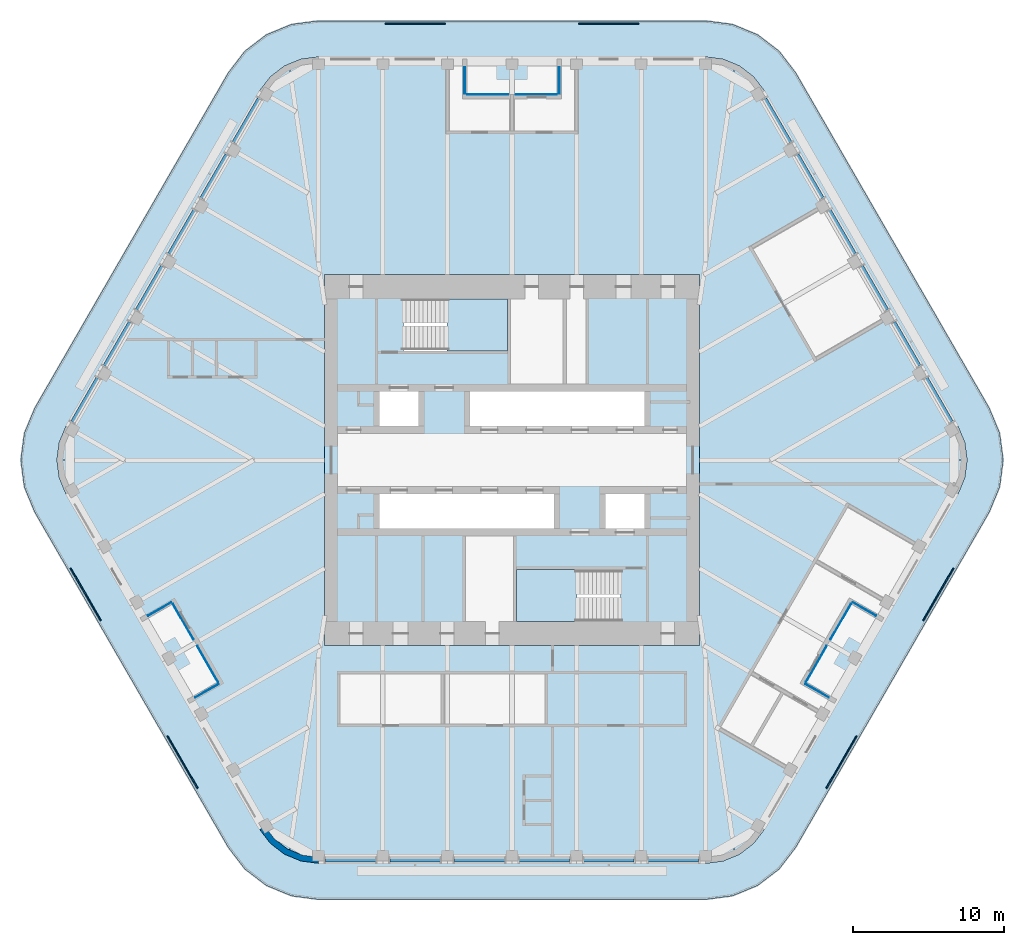
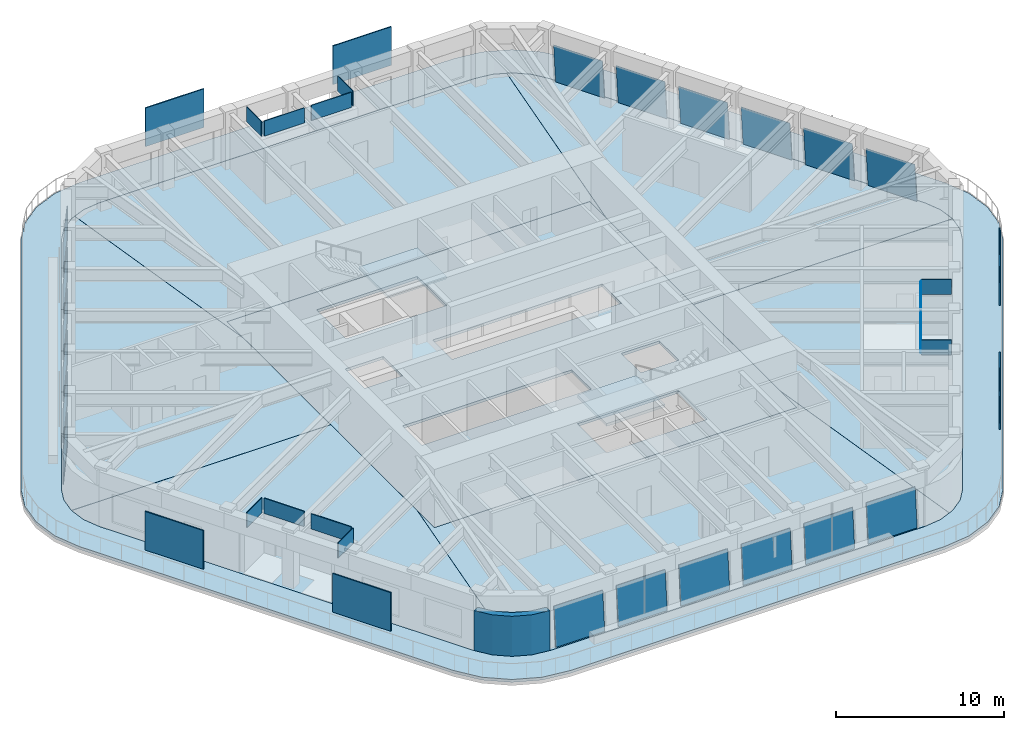
# One storey, part 12 of 20: 36 plates, 10 slabs, 1 wall, 20 elements without a shape of their own.
"""IFC4 building model written with IfcOpenShell, lengths in metres."""

from ifc_helpers import new_model, si_unit, direction, frame, origin, origin_2d, place, context, subcontext, project, spatial, polyline, rectangle, outline, extrude, material, layer, layer_set, type_object, element, aggregate, save


model = new_model("IFC4")

# Units and contexts
model_context = context("Model", 3, precision=1e-05, world=origin(), true_north=direction((0.0, 1.0)))
body_context = subcontext(model_context, "Body", "Model", "MODEL_VIEW")
ifc_project = project(units=[si_unit("LENGTHUNIT", "METRE"), si_unit("AREAUNIT", "SQUARE_METRE"), si_unit("VOLUMEUNIT", "CUBIC_METRE"), si_unit("PLANEANGLEUNIT", "RADIAN"), si_unit("MASSUNIT", "GRAM", prefix="KILO")], contexts=[model_context])

# Site, building, storey
site_placement = place(None, origin())
site = spatial("IfcSite", under=ifc_project, at=site_placement, CompositionType="ELEMENT")
building_placement = place(site_placement, origin())
building = spatial("IfcBuilding", under=site, at=building_placement, Name="Tarfa Lantern Tower", CompositionType="ELEMENT")
storey_placement = place(building_placement, frame((0.0, 0.0, 378.699951171875)))
storey = spatial("IfcBuildingStorey", under=building, at=storey_placement, Name="L86", CompositionType="ELEMENT", Elevation=378.699951171875)

# Slab
ifc_material_1 = material(Name="Concrete C40/50", Category="concrete")
ifc_layer_1 = layer(ifc_material_1, 0.199951171875)
ifc_layer_set_1 = layer_set([ifc_layer_1], Name="BS2 BALCONY SLAB 200")
slab_type_1 = type_object("IfcSlabType", Name="BS2 BALCONY SLAB 200", PredefinedType="FLOOR", material=ifc_layer_set_1)
slab_1_placement = place(storey_placement, frame((0.0, 0.0, -0.199951171875)))
element("IfcSlab", 1, at=slab_1_placement, inside=storey, type_object=slab_type_1, Name="Balcony L86", PredefinedType="FLOOR", context=body_context, shape_type="SweptSolid", body=[
    extrude(outline(polyline([(31.667724609375, 3.449951171875), (18.821533203125, 25.699951171875), (17.72509765625, 27.129150390625), (16.296142578125, 28.2255859375), (14.6318359375, 28.914794921875), (12.845947265625, 29.14990234375), (-12.845947265625, 29.14990234375), (-14.6318359375, 28.914794921875), (-16.296142578125, 28.2255859375), (-17.72509765625, 27.129150390625), (-18.821533203125, 25.699951171875), (-31.667724609375, 3.449951171875), (-32.35693359375, 1.785888671875), (-32.592041015625, 0.0), (-32.35693359375, -1.785888671875), (-31.667724609375, -3.449951171875), (-18.821533203125, -25.699951171875), (-17.72509765625, -27.129150390625), (-16.296142578125, -28.2255859375), (-14.6318359375, -28.914794921875), (-12.845947265625, -29.14990234375), (12.845947265625, -29.14990234375), (14.6318359375, -28.914794921875), (16.296142578125, -28.2255859375), (17.72509765625, -27.129150390625), (18.821533203125, -25.699951171875), (31.667724609375, -3.449951171875), (32.35693359375, -1.785888671875), (32.592041015625, 0.0), (32.35693359375, 1.785888671875), (31.667724609375, 3.449951171875)]), holes=[polyline([(29.589111328125, 2.25), (16.7431640625, 24.5), (16.028076171875, 25.431884765625), (15.095947265625, 26.147216796875), (14.0107421875, 26.5966796875), (12.845947265625, 26.75), (-12.845947265625, 26.75), (-14.0107421875, 26.5966796875), (-15.095947265625, 26.147216796875), (-16.028076171875, 25.431884765625), (-16.7431640625, 24.5), (-29.589111328125, 2.25), (-30.038818359375, 1.164794921875), (-30.192138671875, 0.0), (-30.038818359375, -1.164794921875), (-29.589111328125, -2.25), (-16.7431640625, -24.5), (-16.028076171875, -25.431884765625), (-15.095947265625, -26.147216796875), (-14.0107421875, -26.5966796875), (-12.845947265625, -26.75), (12.845947265625, -26.75), (14.0107421875, -26.5966796875), (15.095947265625, -26.147216796875), (16.028076171875, -25.431884765625), (16.7431640625, -24.5), (29.589111328125, -2.25), (30.038818359375, -1.164794921875), (30.192138671875, 0.0), (30.038818359375, 1.164794921875), (29.589111328125, 2.25)])]), origin(), (0.0, 0.0, 1.0), 0.199951171875),
])

# Curtain wall, plate
ifc_material_2 = material(Name="Aluminium framed curtain wall", Category="aluminium")
curtain_wall_type = type_object("IfcCurtainWallType", Name="CW4 CANTED GLAZING EXECUTIVE ZONE 2900", PredefinedType="USERDEFINED", material=ifc_material_2)
curtain_wall_1_placement = place(storey_placement, origin())
curtain_wall_1 = element("IfcCurtainWall", 2, at=curtain_wall_1_placement, inside=storey, type_object=curtain_wall_type, Name="CW4 NE L86", ObjectType="CURTAIN WALL", PredefinedType="USERDEFINED")
ifc_material_3 = material(Name="Laminated double glazing", Category="glass")
ifc_layer_2 = layer(ifc_material_3, 0.028076171875)
ifc_layer_set_2 = layer_set([ifc_layer_2], Name="CWP1 DOUBLE GLAZED PANEL")
plate_type_1 = type_object("IfcPlateType", Name="CWP1 DOUBLE GLAZED PANEL", PredefinedType="CURTAIN_PANEL", material=ifc_layer_set_2)
plate_1_placement = place(storey_placement, frame((29.27001953125, 2.602783203125, 0.0), z_axis=(0.862824338891, 0.498153070644, 0.085893413165), x_axis=(-0.500001024438, 0.866024812323, 1.558248e-06)))
plate_1 = element("IfcPlate", 3, at=plate_1_placement, type_object=plate_type_1, Name="CW4 panel 1.1", PredefinedType="CURTAIN_PANEL", context=body_context, shape_type="SweptSolid", body=[
    extrude(outline(polyline([(0.0, 0.0), (3.3519389773641266, 0.0), (3.3520626532439772, 2.845471633170458), (-8.775595909493566e-05, 2.845482118555973), (0.0, 0.0)])), origin(), (0.0, 0.0, -1.0), 0.028076171875),
])
aggregate(curtain_wall_1, [plate_1])

curtain_wall_2_placement = place(storey_placement, origin())
curtain_wall_2 = element("IfcCurtainWall", 4, at=curtain_wall_2_placement, inside=storey, type_object=curtain_wall_type, Name="CW4 NE L86", ObjectType="CURTAIN WALL", PredefinedType="USERDEFINED")
plate_2_placement = place(storey_placement, frame((27.129150390625, 6.31103515625, 0.0), z_axis=(0.862824338891, 0.498153070644, 0.085893413165), x_axis=(-0.500001024438, 0.866024812323, 1.558248e-06)))
plate_2 = element("IfcPlate", 5, at=plate_2_placement, type_object=plate_type_1, Name="CW4 panel 1.1", PredefinedType="CURTAIN_PANEL", context=body_context, shape_type="SweptSolid", body=[
    extrude(outline(polyline([(0.0, 0.0), (3.3519389773641266, 0.0), (3.3520626532439772, 2.845471633170458), (-8.775595909493566e-05, 2.845482118555973), (0.0, 0.0)])), origin(), (0.0, 0.0, -1.0), 0.028076171875),
])
aggregate(curtain_wall_2, [plate_2])

curtain_wall_3_placement = place(storey_placement, origin())
curtain_wall_3 = element("IfcCurtainWall", 6, at=curtain_wall_3_placement, inside=storey, type_object=curtain_wall_type, Name="CW4 NE L86", ObjectType="CURTAIN WALL", PredefinedType="USERDEFINED")
plate_3_placement = place(storey_placement, frame((24.988037109375, 10.019287109375, 0.0), z_axis=(0.862824338891, 0.498153070644, 0.085893413165), x_axis=(-0.500000791762, 0.866024946659, -1.55815e-06)))
plate_3 = element("IfcPlate", 7, at=plate_3_placement, type_object=plate_type_1, Name="CW4 panel 1.1", PredefinedType="CURTAIN_PANEL", context=body_context, shape_type="SweptSolid", body=[
    extrude(outline(polyline([(0.0, 0.0), (3.352150409219471, -1.3877787807814457e-17), (3.3520537527119685, 2.8454821182675554), (0.00011477536424000705, 2.8454716335433905), (0.0, 0.0)])), origin(), (0.0, 0.0, -1.0), 0.028076171875),
])
aggregate(curtain_wall_3, [plate_3])

curtain_wall_4_placement = place(storey_placement, origin())
curtain_wall_4 = element("IfcCurtainWall", 8, at=curtain_wall_4_placement, inside=storey, type_object=curtain_wall_type, Name="CW4 NE L86", ObjectType="CURTAIN WALL", PredefinedType="USERDEFINED")
plate_4_placement = place(storey_placement, frame((22.84716796875, 13.727783203125, 0.0), z_axis=(0.862824338891, 0.498153070644, 0.085893413165), x_axis=(-0.500001024438, 0.866024812323, 1.558248e-06)))
plate_4 = element("IfcPlate", 9, at=plate_4_placement, type_object=plate_type_1, Name="CW4 panel 1.1", PredefinedType="CURTAIN_PANEL", context=body_context, shape_type="SweptSolid", body=[
    extrude(outline(polyline([(0.0, 0.0), (3.3519389773641266, 0.0), (3.3520626532439772, 2.845471633170458), (-8.775595909493566e-05, 2.845482118555973), (0.0, 0.0)])), origin(), (0.0, 0.0, -1.0), 0.028076171875),
])
aggregate(curtain_wall_4, [plate_4])

curtain_wall_5_placement = place(storey_placement, origin())
curtain_wall_5 = element("IfcCurtainWall", 10, at=curtain_wall_5_placement, inside=storey, type_object=curtain_wall_type, Name="CW4 NE L86", ObjectType="CURTAIN WALL", PredefinedType="USERDEFINED")
plate_5_placement = place(storey_placement, frame((20.7060546875, 17.43603515625, 0.0), z_axis=(0.862824338891, 0.498153070644, 0.085893413165), x_axis=(-0.500001024438, 0.866024812323, 1.558248e-06)))
plate_5 = element("IfcPlate", 11, at=plate_5_placement, type_object=plate_type_1, Name="CW4 panel 1.1", PredefinedType="CURTAIN_PANEL", context=body_context, shape_type="SweptSolid", body=[
    extrude(outline(polyline([(0.0, 0.0), (3.3519389773641266, 0.0), (3.3520626532439772, 2.845471633170458), (-8.775595909493566e-05, 2.845482118555973), (0.0, 0.0)])), origin(), (0.0, 0.0, -1.0), 0.028076171875),
])
aggregate(curtain_wall_5, [plate_5])

curtain_wall_6_placement = place(storey_placement, origin())
curtain_wall_6 = element("IfcCurtainWall", 12, at=curtain_wall_6_placement, inside=storey, type_object=curtain_wall_type, Name="CW4 NE L86", ObjectType="CURTAIN WALL", PredefinedType="USERDEFINED")
plate_6_placement = place(storey_placement, frame((18.56494140625, 21.144287109375, 0.0), z_axis=(0.862842802272, 0.498127447642, 0.08585653425), x_axis=(-0.499973277303, 0.866040831581, -4.255243e-06)))
plate_6 = element("IfcPlate", 13, at=plate_6_placement, type_object=plate_type_1, Name="CW4 panel 1.1", PredefinedType="CURTAIN_PANEL", context=body_context, shape_type="SweptSolid", body=[
    extrude(outline(polyline([(0.0, 0.0), (3.3520283456378226, -2.7755575615628914e-17), (3.3519162760379397, 2.845482113502138), (-2.2697638389446947e-05, 2.8454534807665), (0.0, 0.0)])), origin(), (0.0, 0.0, -1.0), 0.028076171875),
])
aggregate(curtain_wall_6, [plate_6])

curtain_wall_7_placement = place(storey_placement, origin())
curtain_wall_7 = element("IfcCurtainWall", 14, at=curtain_wall_7_placement, inside=storey, type_object=curtain_wall_type, Name="CW4 NW L86", ObjectType="CURTAIN WALL", PredefinedType="USERDEFINED")
plate_7_placement = place(storey_placement, frame((-16.88916015625, 24.04736328125, 0.0), z_axis=(-0.862842802272, 0.498127447642, 0.08585653425), x_axis=(-0.499973277303, -0.866040831581, 4.255243e-06)))
plate_7 = element("IfcPlate", 15, at=plate_7_placement, type_object=plate_type_1, Name="CW4 panel 1.1", PredefinedType="CURTAIN_PANEL", context=body_context, shape_type="SweptSolid", body=[
    extrude(outline(polyline([(0.0, 0.0), (3.3520283456378226, 2.7755575615628914e-17), (3.3520510432762123, 2.8454534807665), (0.00011206959988298927, 2.845482113502138), (0.0, 0.0)])), origin(), (0.0, 0.0, -1.0), 0.028076171875),
])
aggregate(curtain_wall_7, [plate_7])

curtain_wall_8_placement = place(storey_placement, origin())
curtain_wall_8 = element("IfcCurtainWall", 16, at=curtain_wall_8_placement, inside=storey, type_object=curtain_wall_type, Name="CW4 NW L86", ObjectType="CURTAIN WALL", PredefinedType="USERDEFINED")
plate_8_placement = place(storey_placement, frame((-19.030029296875, 20.3388671875, 0.0), z_axis=(-0.862824338891, 0.498153070644, 0.085893413165), x_axis=(-0.500001024438, -0.866024812323, -1.558248e-06)))
plate_8 = element("IfcPlate", 17, at=plate_8_placement, type_object=plate_type_1, Name="CW4 panel 1.1", PredefinedType="CURTAIN_PANEL", context=body_context, shape_type="SweptSolid", body=[
    extrude(outline(polyline([(0.0, 0.0), (3.3519389773641266, 0.0), (3.3520267333232217, 2.845482118555973), (-0.0001236758798510584, 2.845471633170458), (0.0, 0.0)])), origin(), (0.0, 0.0, -1.0), 0.028076171875),
])
aggregate(curtain_wall_8, [plate_8])

curtain_wall_9_placement = place(storey_placement, origin())
curtain_wall_9 = element("IfcCurtainWall", 18, at=curtain_wall_9_placement, inside=storey, type_object=curtain_wall_type, Name="CW4 NW L86", ObjectType="CURTAIN WALL", PredefinedType="USERDEFINED")
plate_9_placement = place(storey_placement, frame((-21.171142578125, 16.630615234375, 0.0), z_axis=(-0.862824338891, 0.498153070644, 0.085893413165), x_axis=(-0.500001024438, -0.866024812323, -1.558248e-06)))
plate_9 = element("IfcPlate", 19, at=plate_9_placement, type_object=plate_type_1, Name="CW4 panel 1.1", PredefinedType="CURTAIN_PANEL", context=body_context, shape_type="SweptSolid", body=[
    extrude(outline(polyline([(0.0, 0.0), (3.3519389773641266, 0.0), (3.3520267333232217, 2.845482118555973), (-0.0001236758798510584, 2.845471633170458), (0.0, 0.0)])), origin(), (0.0, 0.0, -1.0), 0.028076171875),
])
aggregate(curtain_wall_9, [plate_9])

curtain_wall_10_placement = place(storey_placement, origin())
curtain_wall_10 = element("IfcCurtainWall", 20, at=curtain_wall_10_placement, inside=storey, type_object=curtain_wall_type, Name="CW4 NW L86", ObjectType="CURTAIN WALL", PredefinedType="USERDEFINED")
plate_10_placement = place(storey_placement, frame((-23.31201171875, 12.92236328125, 0.0), z_axis=(-0.862824338891, 0.498153070644, 0.085893413165), x_axis=(-0.500000791762, -0.866024946659, 1.55815e-06)))
plate_10 = element("IfcPlate", 21, at=plate_10_placement, type_object=plate_type_1, Name="CW4 panel 1.1", PredefinedType="CURTAIN_PANEL", context=body_context, shape_type="SweptSolid", body=[
    extrude(outline(polyline([(0.0, 0.0), (3.352150409219471, 1.3877787807814457e-17), (3.352035633855231, 2.8454716335433905), (9.665650750279393e-05, 2.8454821182675554), (0.0, 0.0)])), origin(), (0.0, 0.0, -1.0), 0.028076171875),
])
aggregate(curtain_wall_10, [plate_10])

curtain_wall_11_placement = place(storey_placement, origin())
curtain_wall_11 = element("IfcCurtainWall", 22, at=curtain_wall_11_placement, inside=storey, type_object=curtain_wall_type, Name="CW4 NW L86", ObjectType="CURTAIN WALL", PredefinedType="USERDEFINED")
plate_11_placement = place(storey_placement, frame((-25.453125, 9.2138671875, 0.0), z_axis=(-0.862824338891, 0.498153070644, 0.085893413165), x_axis=(-0.500001024438, -0.866024812323, -1.558248e-06)))
plate_11 = element("IfcPlate", 23, at=plate_11_placement, type_object=plate_type_1, Name="CW4 panel 1.1", PredefinedType="CURTAIN_PANEL", context=body_context, shape_type="SweptSolid", body=[
    extrude(outline(polyline([(0.0, 0.0), (3.3519389773641266, 0.0), (3.3520267333232217, 2.845482118555973), (-0.0001236758798510584, 2.845471633170458), (0.0, 0.0)])), origin(), (0.0, 0.0, -1.0), 0.028076171875),
])
aggregate(curtain_wall_11, [plate_11])

curtain_wall_12_placement = place(storey_placement, origin())
curtain_wall_12 = element("IfcCurtainWall", 24, at=curtain_wall_12_placement, inside=storey, type_object=curtain_wall_type, Name="CW4 NW L86", ObjectType="CURTAIN WALL", PredefinedType="USERDEFINED")
plate_12_placement = place(storey_placement, frame((-27.593994140625, 5.505615234375, 0.0), z_axis=(-0.862824338891, 0.498153070644, 0.085893413165), x_axis=(-0.500001024438, -0.866024812323, -1.558248e-06)))
plate_12 = element("IfcPlate", 25, at=plate_12_placement, type_object=plate_type_1, Name="CW4 panel 1.1", PredefinedType="CURTAIN_PANEL", context=body_context, shape_type="SweptSolid", body=[
    extrude(outline(polyline([(0.0, 0.0), (3.3519389773641266, 0.0), (3.3520267333232217, 2.845482118555973), (-0.0001236758798510584, 2.845471633170458), (0.0, 0.0)])), origin(), (0.0, 0.0, -1.0), 0.028076171875),
])
aggregate(curtain_wall_12, [plate_12])

curtain_wall_13_placement = place(storey_placement, origin())
curtain_wall_13 = element("IfcCurtainWall", 26, at=curtain_wall_13_placement, inside=storey, type_object=curtain_wall_type, Name="CW4 S L86", ObjectType="CURTAIN WALL", PredefinedType="USERDEFINED")
plate_13_placement = place(storey_placement, frame((-12.381103515625, -26.64990234375, 0.0), z_axis=(0.0, -0.996305022141, 0.085885405371), x_axis=(1.0, 0.0, 0.0)))
plate_13 = element("IfcPlate", 27, at=plate_13_placement, type_object=plate_type_1, Name="CW4 panel 1.1", PredefinedType="CURTAIN_PANEL", context=body_context, shape_type="SweptSolid", body=[
    extrude(outline(polyline([(0.0, 0.0), (3.35205078125, 0.0), (3.35205078125, 2.8454749042682606), (0.0, 2.8454749042682606), (0.0, 0.0)])), origin(), (0.0, 0.0, -1.0), 0.028076171875),
])
aggregate(curtain_wall_13, [plate_13])

curtain_wall_14_placement = place(storey_placement, origin())
curtain_wall_14 = element("IfcCurtainWall", 28, at=curtain_wall_14_placement, inside=storey, type_object=curtain_wall_type, Name="CW4 S L86", ObjectType="CURTAIN WALL", PredefinedType="USERDEFINED")
plate_14_placement = place(storey_placement, frame((-8.09912109375, -26.64990234375, 0.0), z_axis=(0.0, -0.996305022141, 0.085885405371), x_axis=(1.0, 0.0, 0.0)))
plate_14 = element("IfcPlate", 29, at=plate_14_placement, type_object=plate_type_1, Name="CW4 panel 1.1", PredefinedType="CURTAIN_PANEL", context=body_context, shape_type="SweptSolid", body=[
    extrude(outline(polyline([(0.0, 0.0), (3.35205078125, 0.0), (3.35205078125, 2.8454749042682606), (0.0, 2.8454749042682606), (0.0, 0.0)])), origin(), (0.0, 0.0, -1.0), 0.028076171875),
])
aggregate(curtain_wall_14, [plate_14])

curtain_wall_15_placement = place(storey_placement, origin())
curtain_wall_15 = element("IfcCurtainWall", 30, at=curtain_wall_15_placement, inside=storey, type_object=curtain_wall_type, Name="CW4 S L86", ObjectType="CURTAIN WALL", PredefinedType="USERDEFINED")
plate_15_placement = place(storey_placement, frame((-3.81689453125, -26.64990234375, 0.0), z_axis=(0.0, -0.996305022141, 0.085885405371), x_axis=(1.0, 0.0, 0.0)))
plate_15 = element("IfcPlate", 31, at=plate_15_placement, type_object=plate_type_1, Name="CW4 panel 1.1", PredefinedType="CURTAIN_PANEL", context=body_context, shape_type="SweptSolid", body=[
    extrude(outline(polyline([(0.0, 0.0), (3.351806640625, 0.0), (3.351806640625, 2.8454749042682606), (0.0, 2.8454749042682606), (0.0, 0.0)])), origin(), (0.0, 0.0, -1.0), 0.028076171875),
])
aggregate(curtain_wall_15, [plate_15])

curtain_wall_16_placement = place(storey_placement, origin())
curtain_wall_16 = element("IfcCurtainWall", 32, at=curtain_wall_16_placement, inside=storey, type_object=curtain_wall_type, Name="CW4 S L86", ObjectType="CURTAIN WALL", PredefinedType="USERDEFINED")
plate_16_placement = place(storey_placement, frame((0.465087890625, -26.64990234375, 0.0), z_axis=(0.0, -0.996305022141, 0.085885405371), x_axis=(1.0, 0.0, 0.0)))
plate_16 = element("IfcPlate", 33, at=plate_16_placement, type_object=plate_type_1, Name="CW4 panel 1.1", PredefinedType="CURTAIN_PANEL", context=body_context, shape_type="SweptSolid", body=[
    extrude(outline(polyline([(0.0, 0.0), (3.351806640625, 0.0), (3.351806640625, 2.8454749042682606), (0.0, 2.8454749042682606), (0.0, 0.0)])), origin(), (0.0, 0.0, -1.0), 0.028076171875),
])
aggregate(curtain_wall_16, [plate_16])

curtain_wall_17_placement = place(storey_placement, origin())
curtain_wall_17 = element("IfcCurtainWall", 34, at=curtain_wall_17_placement, inside=storey, type_object=curtain_wall_type, Name="CW4 S L86", ObjectType="CURTAIN WALL", PredefinedType="USERDEFINED")
plate_17_placement = place(storey_placement, frame((4.7470703125, -26.64990234375, 0.0), z_axis=(0.0, -0.996305022141, 0.085885405371), x_axis=(1.0, 0.0, 0.0)))
plate_17 = element("IfcPlate", 35, at=plate_17_placement, type_object=plate_type_1, Name="CW4 panel 1.1", PredefinedType="CURTAIN_PANEL", context=body_context, shape_type="SweptSolid", body=[
    extrude(outline(polyline([(0.0, 0.0), (3.35205078125, 0.0), (3.35205078125, 2.8454749042682606), (0.0, 2.8454749042682606), (0.0, 0.0)])), origin(), (0.0, 0.0, -1.0), 0.028076171875),
])
aggregate(curtain_wall_17, [plate_17])

curtain_wall_18_placement = place(storey_placement, origin())
curtain_wall_18 = element("IfcCurtainWall", 36, at=curtain_wall_18_placement, inside=storey, type_object=curtain_wall_type, Name="CW4 S L86", ObjectType="CURTAIN WALL", PredefinedType="USERDEFINED")
plate_18_placement = place(storey_placement, frame((9.029052734375, -26.64990234375, 0.0), z_axis=(0.0, -0.996305022141, 0.085885405371), x_axis=(1.0, 0.0, 0.0)))
plate_18 = element("IfcPlate", 37, at=plate_18_placement, type_object=plate_type_1, Name="CW4 panel 1.1", PredefinedType="CURTAIN_PANEL", context=body_context, shape_type="SweptSolid", body=[
    extrude(outline(polyline([(0.0, 0.0), (3.35205078125, 0.0), (3.35205078125, 2.8454749042682606), (0.0, 2.8454749042682606), (0.0, 0.0)])), origin(), (0.0, 0.0, -1.0), 0.028076171875),
])
aggregate(curtain_wall_18, [plate_18])

# Slabs
ifc_layer_3 = layer(ifc_material_1, 0.199951171875)
ifc_layer_set_3 = layer_set([ifc_layer_3], Name="FS1 FLOOR SLAB 200")
slab_type_2 = type_object("IfcSlabType", Name="FS1 FLOOR SLAB 200", PredefinedType="FLOOR", material=ifc_layer_set_3)
slab_2_placement = place(storey_placement, frame((0.0, 0.0, -0.199951171875)))
element("IfcSlab", 38, at=slab_2_placement, inside=storey, type_object=slab_type_2, Name="Floor slab L86", PredefinedType="FLOOR", context=body_context, shape_type="SweptSolid", body=[
    extrude(outline(polyline([(-12.425048828125, -12.300048828125), (12.425048828125, -12.300048828125), (12.425048828125, 12.300048828125), (-12.425048828125, 12.300048828125), (-12.425048828125, -12.300048828125)]), holes=[polyline([(-8.800048828125, 2.25), (-6.199951171875, 2.25), (-6.199951171875, 4.550048828125), (-8.800048828125, 4.550048828125), (-8.800048828125, 2.25)]), polyline([(-2.800048828125, 2.25), (8.800048828125, 2.25), (8.800048828125, 4.550048828125), (-2.800048828125, 4.550048828125), (-2.800048828125, 2.25)]), polyline([(8.800048828125, -2.25), (6.199951171875, -2.25), (6.199951171875, -4.550048828125), (8.800048828125, -4.550048828125), (8.800048828125, -2.25)]), polyline([(2.800048828125, -2.25), (-8.800048828125, -2.25), (-8.800048828125, -4.550048828125), (2.800048828125, -4.550048828125), (2.800048828125, -2.25)]), polyline([(-7.199951171875, 7.25), (-0.300048828125, 7.25), (-0.300048828125, 10.699951171875), (-7.199951171875, 10.699951171875), (-7.199951171875, 7.25)]), polyline([(7.199951171875, -7.25), (0.300048828125, -7.25), (0.300048828125, -10.699951171875), (7.199951171875, -10.699951171875), (7.199951171875, -7.25)])]), origin(), (0.0, 0.0, 1.0), 0.199951171875),
])
slab_3_placement = place(storey_placement, frame((0.0, 0.0, -0.199951171875)))
element("IfcSlab", 39, at=slab_3_placement, inside=storey, type_object=slab_type_2, Name="Floor slab L86 NE bay", PredefinedType="FLOOR", context=body_context, shape_type="SweptSolid", body=[
    extrude(outline(polyline([(29.58740234375, 2.2490234375), (16.741455078125, 24.498779296875), (16.026611328125, 25.4306640625), (15.094970703125, 26.145263671875), (14.802001953125, 26.2666015625), (12.427001953125, 10.2998046875), (12.427001953125, 0.001953125), (30.189697265625, 0.001953125), (30.036865234375, 1.1640625), (29.58740234375, 2.2490234375)])), origin(), (0.0, 0.0, 1.0), 0.199951171875),
])
slab_4_placement = place(storey_placement, frame((0.0, 0.0, -0.199951171875)))
element("IfcSlab", 40, at=slab_4_placement, inside=storey, type_object=slab_type_2, Name="Floor slab L86 N bay", PredefinedType="FLOOR", context=body_context, shape_type="SweptSolid", body=[
    extrude(outline(polyline([(-12.427001953125, 10.3271484375), (-12.427001953125, 12.302001953125), (12.427001953125, 12.302001953125), (12.427001953125, 10.3271484375), (14.79833984375, 26.268310546875), (14.01025390625, 26.5947265625), (12.845947265625, 26.748046875), (-12.845947265625, 26.748046875), (-14.01025390625, 26.5947265625), (-14.79833984375, 26.268310546875), (-12.427001953125, 10.3271484375)])), origin(), (0.0, 0.0, 1.0), 0.199951171875),
])
slab_5_placement = place(storey_placement, frame((0.0, 0.0, -0.199951171875)))
element("IfcSlab", 41, at=slab_5_placement, inside=storey, type_object=slab_type_2, Name="Floor slab L86 NW bay", PredefinedType="FLOOR", context=body_context, shape_type="SweptSolid", body=[
    extrude(outline(polyline([(-12.427001953125, 0.001953125), (-12.427001953125, 10.2998046875), (-14.802001953125, 26.2666015625), (-15.094970703125, 26.145263671875), (-16.026611328125, 25.4306640625), (-16.741455078125, 24.498779296875), (-29.58740234375, 2.2490234375), (-30.036865234375, 1.1640625), (-30.189697265625, 0.001953125), (-12.427001953125, 0.001953125)])), origin(), (0.0, 0.0, 1.0), 0.199951171875),
])
slab_6_placement = place(storey_placement, frame((0.0, 0.0, -0.199951171875)))
element("IfcSlab", 42, at=slab_6_placement, inside=storey, type_object=slab_type_2, Name="Floor slab L86 SW bay", PredefinedType="FLOOR", context=body_context, shape_type="SweptSolid", body=[
    extrude(outline(polyline([(-12.427001953125, -10.2998046875), (-12.427001953125, -0.001953125), (-30.189697265625, -0.001953125), (-30.036865234375, -1.1640625), (-29.58740234375, -2.2490234375), (-16.741455078125, -24.498779296875), (-16.026611328125, -25.4306640625), (-15.094970703125, -26.145263671875), (-14.802001953125, -26.2666015625), (-12.427001953125, -10.2998046875)])), origin(), (0.0, 0.0, 1.0), 0.199951171875),
])
slab_7_placement = place(storey_placement, frame((0.0, 0.0, -0.199951171875)))
element("IfcSlab", 43, at=slab_7_placement, inside=storey, type_object=slab_type_2, Name="Floor slab L86 S bay", PredefinedType="FLOOR", context=body_context, shape_type="SweptSolid", body=[
    extrude(outline(polyline([(12.427001953125, -10.3271484375), (12.427001953125, -12.302001953125), (-12.427001953125, -12.302001953125), (-12.427001953125, -10.3271484375), (-14.79833984375, -26.268310546875), (-14.01025390625, -26.5947265625), (-12.845947265625, -26.748046875), (12.845947265625, -26.748046875), (14.01025390625, -26.5947265625), (14.79833984375, -26.268310546875), (12.427001953125, -10.3271484375)])), origin(), (0.0, 0.0, 1.0), 0.199951171875),
])
slab_8_placement = place(storey_placement, frame((0.0, 0.0, -0.199951171875)))
element("IfcSlab", 44, at=slab_8_placement, inside=storey, type_object=slab_type_2, Name="Floor slab L86 SE bay", PredefinedType="FLOOR", context=body_context, shape_type="SweptSolid", body=[
    extrude(outline(polyline([(12.427001953125, -0.001953125), (12.427001953125, -10.2998046875), (14.802001953125, -26.2666015625), (15.094970703125, -26.145263671875), (16.026611328125, -25.4306640625), (16.741455078125, -24.498779296875), (29.58740234375, -2.2490234375), (30.036865234375, -1.1640625), (30.189697265625, -0.001953125), (12.427001953125, -0.001953125)])), origin(), (0.0, 0.0, 1.0), 0.199951171875),
])

# Plates
ifc_material_4 = material(Name="Aluminium fascia panel", Category="aluminium")
ifc_layer_4 = layer(ifc_material_4, 0.050048828125)
ifc_layer_set_4 = layer_set([ifc_layer_4], Name="LF1 LOGGIA HEAD FASCIA 50")
plate_type_2 = type_object("IfcPlateType", Name="LF1 LOGGIA HEAD FASCIA 50", PredefinedType="USERDEFINED", material=ifc_layer_set_4)
for number, where, z_axis, x_axis, name in (
    (45, (1.615966796875, 24.25, 2.89990234375), (0.0, 0.0, 1.0), (-1.0, 0.0, 0.0), "Terrace head fascia N"),
    (46, (-1.615966796875, 24.25, 2.89990234375), (0.0, 0.0, 1.0), (-1.0, 0.0, 0.0), "Terrace head fascia N"),
):
    element("IfcPlate", number, at=place(storey_placement, frame(where, z_axis=z_axis, x_axis=x_axis)), inside=storey, type_object=plate_type_2, Name=name, ObjectType="FASCIA", PredefinedType="USERDEFINED", context=body_context, shape_type="SweptSolid", body=[
        extrude(rectangle(XDim=2.73193359375, YDim=0.050048828125, at=origin_2d()), origin(), (0.0, 0.0, 1.0), 1.10009765625),
    ])
for number, where, z_axis, x_axis, name in (
    (47, (3.132080078125, 25.18505859375, 2.89990234375), (0.0, 0.0, 1.0), (0.0, -1.0, 0.0), "Terrace head fascia N"),
    (48, (-3.132080078125, 25.18505859375, 2.89990234375), (0.0, 0.0, 1.0), (0.0, -1.0, 0.0), "Terrace head fascia N"),
):
    element("IfcPlate", number, at=place(storey_placement, frame(where, z_axis=z_axis, x_axis=x_axis)), inside=storey, type_object=plate_type_2, Name=name, ObjectType="FASCIA", PredefinedType="USERDEFINED", context=body_context, shape_type="SweptSolid", body=[
        extrude(rectangle(XDim=1.77001953125, YDim=0.050048828125, at=origin_2d()), origin(), (0.0, 0.0, 1.0), 1.10009765625),
    ])
for number, where, z_axis, x_axis, name in (
    (49, (-21.80908203125, -10.7255859375, 2.89990234375), (0.0, 0.0, 1.0), (0.5, -0.866025403784, 0.0), "Terrace head fascia SW"),
    (50, (-20.193115234375, -13.5244140625, 2.89990234375), (0.0, 0.0, 1.0), (0.5, -0.866025403784, 0.0), "Terrace head fascia SW"),
):
    element("IfcPlate", number, at=place(storey_placement, frame(where, z_axis=z_axis, x_axis=x_axis)), inside=storey, type_object=plate_type_2, Name=name, ObjectType="FASCIA", PredefinedType="USERDEFINED", context=body_context, shape_type="SweptSolid", body=[
        extrude(rectangle(XDim=2.73193359375, YDim=0.050048828125, at=origin_2d()), origin(), (0.0, 0.0, 1.0), 1.10009765625),
    ])
for number, where, z_axis, x_axis, name in (
    (51, (-23.376953125, -9.880126953125, 2.89990234375), (0.0, 0.0, 1.0), (0.866025403784, 0.5, 0.0), "Terrace head fascia SW"),
    (52, (-20.244873046875, -15.304931640625, 2.89990234375), (0.0, 0.0, 1.0), (0.866025403784, 0.5, 0.0), "Terrace head fascia SW"),
):
    element("IfcPlate", number, at=place(storey_placement, frame(where, z_axis=z_axis, x_axis=x_axis)), inside=storey, type_object=plate_type_2, Name=name, ObjectType="FASCIA", PredefinedType="USERDEFINED", context=body_context, shape_type="SweptSolid", body=[
        extrude(rectangle(XDim=1.77001953125, YDim=0.050048828125, at=origin_2d()), origin(), (0.0, 0.0, 1.0), 1.10009765625),
    ])
for number, where, z_axis, x_axis, name in (
    (53, (20.193115234375, -13.5244140625, 2.89990234375), (0.0, 0.0, 1.0), (0.5, 0.866025403784, 0.0), "Terrace head fascia SE"),
    (54, (21.80908203125, -10.7255859375, 2.89990234375), (0.0, 0.0, 1.0), (0.5, 0.866025403784, 0.0), "Terrace head fascia SE"),
):
    element("IfcPlate", number, at=place(storey_placement, frame(where, z_axis=z_axis, x_axis=x_axis)), inside=storey, type_object=plate_type_2, Name=name, ObjectType="FASCIA", PredefinedType="USERDEFINED", context=body_context, shape_type="SweptSolid", body=[
        extrude(rectangle(XDim=2.73193359375, YDim=0.050048828125, at=origin_2d()), origin(), (0.0, 0.0, 1.0), 1.10009765625),
    ])
for number, where, z_axis, x_axis, name in (
    (55, (20.244873046875, -15.304931640625, 2.89990234375), (0.0, 0.0, 1.0), (-0.866025403784, 0.5, 0.0), "Terrace head fascia SE"),
    (56, (23.376953125, -9.880126953125, 2.89990234375), (0.0, 0.0, 1.0), (-0.866025403784, 0.5, 0.0), "Terrace head fascia SE"),
):
    element("IfcPlate", number, at=place(storey_placement, frame(where, z_axis=z_axis, x_axis=x_axis)), inside=storey, type_object=plate_type_2, Name=name, ObjectType="FASCIA", PredefinedType="USERDEFINED", context=body_context, shape_type="SweptSolid", body=[
        extrude(rectangle(XDim=1.77001953125, YDim=0.050048828125, at=origin_2d()), origin(), (0.0, 0.0, 1.0), 1.10009765625),
    ])
ifc_material_5 = material(Name="Perforated limestone screen", Category="masonry")
ifc_layer_5 = layer(ifc_material_5, 0.080078125)
ifc_layer_set_5 = layer_set([ifc_layer_5], Name="SC1 STONE SCREEN 80")
plate_type_3 = type_object("IfcPlateType", Name="SC1 STONE SCREEN 80", PredefinedType="USERDEFINED", material=ifc_layer_set_5)
for number, where, z_axis, x_axis, name in (
    (57, (6.423095703125, 28.949951171875, 1.2001953125), (0.0, 0.0, 1.0), (-1.0, 0.0, 0.0), "Stone screen N 1"),
    (58, (-6.423095703125, 28.949951171875, 1.2001953125), (0.0, 0.0, 1.0), (-1.0, 0.0, 0.0), "Stone screen N 2"),
    (59, (-28.282958984375, -8.91259765625, 1.2001953125), (0.0, 0.0, 1.0), (0.5, -0.866025403784, 0.0), "Stone screen SW 1"),
    (60, (-21.85986328125, -20.03759765625, 1.2001953125), (0.0, 0.0, 1.0), (0.5, -0.866025403784, 0.0), "Stone screen SW 2"),
    (61, (21.85986328125, -20.03759765625, 1.2001953125), (0.0, 0.0, 1.0), (0.5, 0.866025403784, 0.0), "Stone screen SE 1"),
    (62, (28.282958984375, -8.91259765625, 1.2001953125), (0.0, 0.0, 1.0), (0.5, 0.866025403784, 0.0), "Stone screen SE 2"),
):
    element("IfcPlate", number, at=place(storey_placement, frame(where, z_axis=z_axis, x_axis=x_axis)), inside=storey, type_object=plate_type_3, Name=name, ObjectType="SCREEN", PredefinedType="USERDEFINED", context=body_context, shape_type="SweptSolid", body=[
        extrude(rectangle(XDim=4.0, YDim=0.080078125, at=origin_2d()), origin(), (0.0, 0.0, 1.0), 2.800048828125),
    ])

# Stair, slab
stair_type = type_object("IfcStairType", Name="ST-T10 HALF-TURN STAIR 4200 RISE", PredefinedType="HALF_TURN_STAIR", material=ifc_material_1)
stair_1_placement = place(storey_placement, origin())
stair_1 = element("IfcStair", 63, at=stair_1_placement, inside=storey, type_object=stair_type, Name="Stair ST1", PredefinedType="HALF_TURN_STAIR")
ifc_layer_6 = layer(ifc_material_1, 0.199951171875)
ifc_layer_set_6 = layer_set([ifc_layer_6], Name="SL1 STAIR LANDING 200")
slab_type_3 = type_object("IfcSlabType", Name="SL1 STAIR LANDING 200", PredefinedType="LANDING", material=ifc_layer_set_6)
slab_9_placement = place(storey_placement, frame((0.0, 0.0, 1.900146484375)))
slab_9 = element("IfcSlab", 64, at=slab_9_placement, type_object=slab_type_3, Name="ST1 landing 1", PredefinedType="LANDING", context=body_context, shape_type="SweptSolid", body=[
    extrude(outline(polyline([(-4.320068359375, 7.25), (-0.300048828125, 7.25), (-0.300048828125, 10.699951171875), (-4.320068359375, 10.699951171875), (-4.320068359375, 7.25)])), origin(), (0.0, 0.0, 1.0), 0.199951171875),
])
aggregate(stair_1, [slab_9])

stair_2_placement = place(storey_placement, origin())
stair_2 = element("IfcStair", 65, at=stair_2_placement, inside=storey, type_object=stair_type, Name="Stair ST2", PredefinedType="HALF_TURN_STAIR")
slab_10_placement = place(storey_placement, frame((0.0, 0.0, 1.900146484375)))
slab_10 = element("IfcSlab", 66, at=slab_10_placement, type_object=slab_type_3, Name="ST2 landing 1", PredefinedType="LANDING", context=body_context, shape_type="SweptSolid", body=[
    extrude(outline(polyline([(4.320068359375, -7.25), (0.300048828125, -7.25), (0.300048828125, -10.699951171875), (4.320068359375, -10.699951171875), (4.320068359375, -7.25)])), origin(), (0.0, 0.0, 1.0), 0.199951171875),
])
aggregate(stair_2, [slab_10])

# Wall
ifc_material_6 = material(Name="Limestone cladding on blockwork", Category="masonry")
ifc_layer_7 = layer(ifc_material_6, 0.39990234375)
ifc_layer_set_7 = layer_set([ifc_layer_7], Name="EW2 CURVED STONE CORNER 400")
wall_type = type_object("IfcWallType", Name="EW2 CURVED STONE CORNER 400", PredefinedType="SOLIDWALL", material=ifc_layer_set_7)
wall_placement = place(storey_placement, origin())
element("IfcWall", 67, at=wall_placement, inside=storey, type_object=wall_type, Name="Stone corner SW-S", PredefinedType="SOLIDWALL", context=body_context, shape_type="SweptSolid", body=[
    extrude(outline(polyline([(-16.7431640625, -24.5), (-16.028076171875, -25.431884765625), (-15.095947265625, -26.147216796875), (-14.0107421875, -26.5966796875), (-12.845947265625, -26.75), (-12.845947265625, -26.35009765625), (-13.9072265625, -26.210205078125), (-14.89599609375, -25.80078125), (-15.7451171875, -25.149169921875), (-16.396728515625, -24.300048828125), (-16.7431640625, -24.5)])), origin(), (0.0, 0.0, 1.0), 2.900146484375),
])

save(model, "model.ifc")
